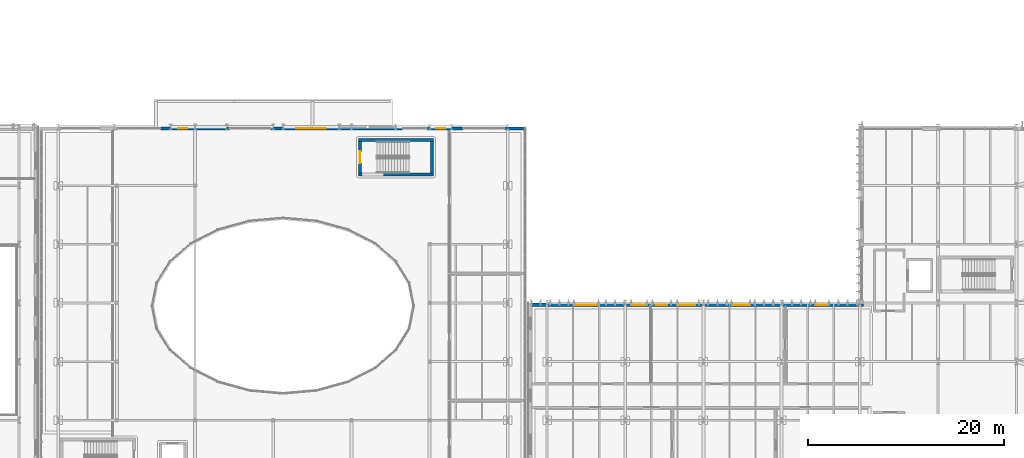
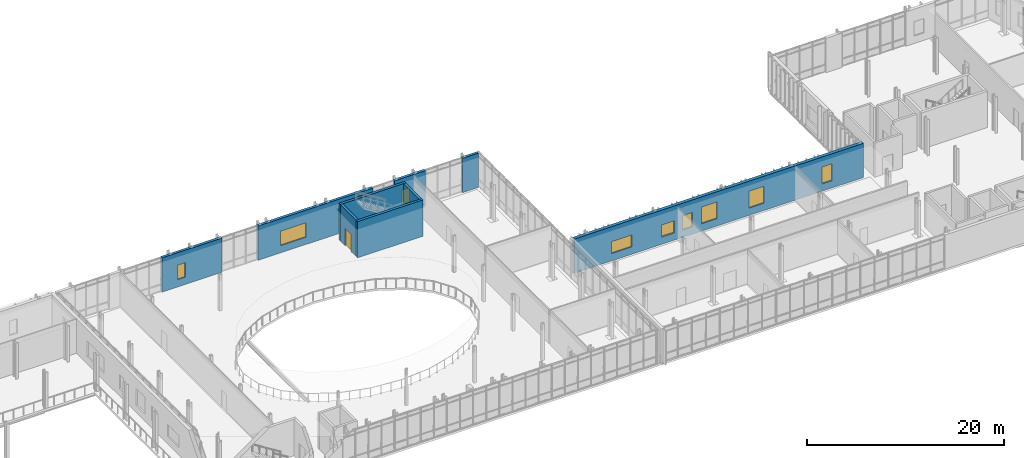
# One storey, part 69 of 100: 9 walls, 9 windows, 1 door, 10 openings.
"""IFC4 building model written with IfcOpenShell, lengths in metres."""

from ifc_helpers import new_model, si_unit, direction, frame, frame_2d, origin, place, context, subcontext, project, spatial, rectangle, extrude, material, layer, layer_set, type_object, element, fill, save


model = new_model("IFC4")

# Units and contexts
model_context = context("Model", 3, precision=1e-05, world=origin(), true_north=direction((0.0, 1.0)))
body_context = subcontext(model_context, "Body", "Model", "MODEL_VIEW")
ifc_project = project(units=[si_unit("LENGTHUNIT", "METRE"), si_unit("AREAUNIT", "SQUARE_METRE"), si_unit("VOLUMEUNIT", "CUBIC_METRE"), si_unit("PLANEANGLEUNIT", "RADIAN"), si_unit("MASSUNIT", "GRAM", prefix="KILO")], contexts=[model_context])

# Site, building, storey
site_placement = place(None, origin())
site = spatial("IfcSite", under=ifc_project, at=site_placement, CompositionType="ELEMENT")
building_placement = place(site_placement, origin())
building = spatial("IfcBuilding", under=site, at=building_placement, Name="Cymarion Research Institute", CompositionType="ELEMENT")
storey_placement = place(building_placement, frame((0.0, 0.0, 4.800048828125)))
storey = spatial("IfcBuildingStorey", under=building, at=storey_placement, Name="L01", CompositionType="ELEMENT", Elevation=4.800048828125)

# Wall, openings, windows
ifc_material_1 = material(Name="Precast concrete C40/50", Category="concrete")
ifc_layer_1 = layer(ifc_material_1, 0.3798828125)
ifc_layer_set_1 = layer_set([ifc_layer_1], Name="Precast concrete C40/50")
wall_type_1 = type_object("IfcWallType", Name="EXTERIOR WALL EW-PC380 380MM", PredefinedType="SOLIDWALL", material=ifc_layer_set_1)
wall_1_placement = place(storey_placement, frame((138.9619140625, 23.31005859375, 0.0), z_axis=(0.0, 0.0, 1.0), x_axis=(-1.0, 0.0, 0.0)))
wall_1 = element("IfcWall", 1, at=wall_1_placement, inside=storey, type_object=wall_type_1, Name="L01 V1 exterior wall EW-PC380 #93", PredefinedType="SOLIDWALL", context=body_context, shape_type="SweptSolid", body=[
    extrude(rectangle(XDim=33.89990234375, YDim=0.3798828125, at=frame_2d((16.949951171875, 0.0))), origin(), (0.0, 0.0, 1.0), 4.25),
])
opening_1_placement = place(wall_1_placement, frame((3.681884765625, 0.0, 0.89990234375)))
opening_1 = element("IfcOpeningElement", 2, at=opening_1_placement, cuts=wall_1, Name="Opening W08", PredefinedType="OPENING", context=body_context, shape_type="SweptSolid", body=[
    extrude(rectangle(XDim=1.199951171875, YDim=2.10009765625, at=frame_2d((0.60009765625, 1.050048828125))), frame((0.0, 0.199951171875, 0.0), z_axis=(0.0, -1.0, 0.0), x_axis=(1.0, 0.0, 0.0)), (0.0, 0.0, 1.0), 0.39990234375),
])
opening_2_placement = place(wall_1_placement, frame((11.64208984375, 0.0, 0.89990234375)))
opening_2 = element("IfcOpeningElement", 3, at=opening_2_placement, cuts=wall_1, Name="Opening W10", PredefinedType="OPENING", context=body_context, shape_type="SweptSolid", body=[
    extrude(rectangle(XDim=1.800048828125, YDim=2.10009765625, at=frame_2d((0.89990234375, 1.050048828125))), frame((0.0, 0.199951171875, 0.0), z_axis=(0.0, -1.0, 0.0), x_axis=(1.0, 0.0, 0.0)), (0.0, 0.0, 1.0), 0.39990234375),
])
opening_3_placement = place(wall_1_placement, frame((17.181884765625, 0.0, 0.89990234375)))
opening_3 = element("IfcOpeningElement", 4, at=opening_3_placement, cuts=wall_1, Name="Opening W10", PredefinedType="OPENING", context=body_context, shape_type="SweptSolid", body=[
    extrude(rectangle(XDim=1.800048828125, YDim=2.10009765625, at=frame_2d((0.89990234375, 1.050048828125))), frame((0.0, 0.199951171875, 0.0), z_axis=(0.0, -1.0, 0.0), x_axis=(1.0, 0.0, 0.0)), (0.0, 0.0, 1.0), 0.39990234375),
])
opening_4_placement = place(wall_1_placement, frame((20.06201171875, 0.0, 0.89990234375)))
opening_4 = element("IfcOpeningElement", 5, at=opening_4_placement, cuts=wall_1, Name="Opening W01", PredefinedType="OPENING", context=body_context, shape_type="SweptSolid", body=[
    extrude(rectangle(XDim=1.199951171875, YDim=1.800048828125, at=frame_2d((0.60009765625, 0.89990234375))), frame((0.0, 0.199951171875, 0.0), z_axis=(0.0, -1.0, 0.0), x_axis=(1.0, 0.0, 0.0)), (0.0, 0.0, 1.0), 0.39990234375),
])
opening_5_placement = place(wall_1_placement, frame((22.19189453125, 0.0, 0.89990234375)))
opening_5 = element("IfcOpeningElement", 6, at=opening_5_placement, cuts=wall_1, Name="Opening W16", PredefinedType="OPENING", context=body_context, shape_type="SweptSolid", body=[
    extrude(rectangle(XDim=1.5, YDim=1.5, at=frame_2d((0.75, 0.75))), frame((0.0, 0.199951171875, 0.0), z_axis=(0.0, -1.0, 0.0), x_axis=(1.0, 0.0, 0.0)), (0.0, 0.0, 1.0), 0.39990234375),
])
opening_6_placement = place(wall_1_placement, frame((27.162109375, 0.0, 0.89990234375)))
opening_6 = element("IfcOpeningElement", 7, at=opening_6_placement, cuts=wall_1, Name="Opening W18", PredefinedType="OPENING", context=body_context, shape_type="SweptSolid", body=[
    extrude(rectangle(XDim=2.39990234375, YDim=1.5, at=frame_2d((1.199951171875, 0.75))), frame((0.0, 0.199951171875, 0.0), z_axis=(0.0, -1.0, 0.0), x_axis=(1.0, 0.0, 0.0)), (0.0, 0.0, 1.0), 0.39990234375),
])
ifc_material_2 = material(Name="Thermally broken aluminium window with Low-E glazing", Category="aluminium")
window_type_1 = type_object("IfcWindowType", Name="THERMALLY BROKEN ALUMINIUM WINDOW W01 1200X1800", PartitioningType="SINGLE_PANEL", PredefinedType="WINDOW", material=ifc_material_2)
window_1_placement = place(opening_4_placement, origin())
window_1 = element("IfcWindow", 8, at=window_1_placement, inside=storey, type_object=window_type_1, Name="L01 V1 facade window W01 #164", OverallHeight=1.800048828125, OverallWidth=1.199951171875, PartitioningType="SINGLE_PANEL", PredefinedType="WINDOW", context=body_context, shape_type="SweptSolid", body=[
    extrude(rectangle(XDim=1.199951171875, YDim=1.800048828125, at=frame_2d((0.60009765625, 0.89990234375))), frame((0.0, 0.030029296875, 0.0), z_axis=(0.0, -1.0, 0.0), x_axis=(1.0, 0.0, 0.0)), (0.0, 0.0, 1.0), 0.06005859375),
])
fill(opening_4, window_1)
window_type_2 = type_object("IfcWindowType", Name="THERMALLY BROKEN ALUMINIUM WINDOW W08 1200X2100", PartitioningType="SINGLE_PANEL", PredefinedType="WINDOW", material=ifc_material_2)
window_2_placement = place(opening_1_placement, origin())
window_2 = element("IfcWindow", 9, at=window_2_placement, inside=storey, type_object=window_type_2, Name="L01 V1 facade window W08 #161", OverallHeight=2.10009765625, OverallWidth=1.199951171875, PartitioningType="SINGLE_PANEL", PredefinedType="WINDOW", context=body_context, shape_type="SweptSolid", body=[
    extrude(rectangle(XDim=1.199951171875, YDim=2.10009765625, at=frame_2d((0.60009765625, 1.050048828125))), frame((0.0, 0.030029296875, 0.0), z_axis=(0.0, -1.0, 0.0), x_axis=(1.0, 0.0, 0.0)), (0.0, 0.0, 1.0), 0.06005859375),
])
fill(opening_1, window_2)
window_type_3 = type_object("IfcWindowType", Name="THERMALLY BROKEN ALUMINIUM WINDOW W10 1800X2100", PartitioningType="DOUBLE_PANEL_VERTICAL", PredefinedType="WINDOW", material=ifc_material_2)
window_3_placement = place(opening_2_placement, origin())
window_3 = element("IfcWindow", 10, at=window_3_placement, inside=storey, type_object=window_type_3, Name="L01 V1 facade window W10 #162", OverallHeight=2.10009765625, OverallWidth=1.800048828125, PartitioningType="SINGLE_PANEL", PredefinedType="WINDOW", context=body_context, shape_type="SweptSolid", body=[
    extrude(rectangle(XDim=1.800048828125, YDim=2.10009765625, at=frame_2d((0.89990234375, 1.050048828125))), frame((0.0, 0.030029296875, 0.0), z_axis=(0.0, -1.0, 0.0), x_axis=(1.0, 0.0, 0.0)), (0.0, 0.0, 1.0), 0.06005859375),
])
fill(opening_2, window_3)
window_4_placement = place(opening_3_placement, origin())
window_4 = element("IfcWindow", 11, at=window_4_placement, inside=storey, type_object=window_type_3, Name="L01 V1 facade window W10 #163", OverallHeight=2.10009765625, OverallWidth=1.800048828125, PartitioningType="SINGLE_PANEL", PredefinedType="WINDOW", context=body_context, shape_type="SweptSolid", body=[
    extrude(rectangle(XDim=1.800048828125, YDim=2.10009765625, at=frame_2d((0.89990234375, 1.050048828125))), frame((0.0, 0.030029296875, 0.0), z_axis=(0.0, -1.0, 0.0), x_axis=(1.0, 0.0, 0.0)), (0.0, 0.0, 1.0), 0.06005859375),
])
fill(opening_3, window_4)
window_type_4 = type_object("IfcWindowType", Name="THERMALLY BROKEN ALUMINIUM WINDOW W16 1500X1500", PartitioningType="DOUBLE_PANEL_HORIZONTAL", PredefinedType="WINDOW", material=ifc_material_2)
window_5_placement = place(opening_5_placement, origin())
window_5 = element("IfcWindow", 12, at=window_5_placement, inside=storey, type_object=window_type_4, Name="L01 V1 facade window W16 #165", OverallHeight=1.5, OverallWidth=1.5, PartitioningType="SINGLE_PANEL", PredefinedType="WINDOW", context=body_context, shape_type="SweptSolid", body=[
    extrude(rectangle(XDim=1.5, YDim=1.5, at=frame_2d((0.75, 0.75))), frame((0.0, 0.030029296875, 0.0), z_axis=(0.0, -1.0, 0.0), x_axis=(1.0, 0.0, 0.0)), (0.0, 0.0, 1.0), 0.06005859375),
])
fill(opening_5, window_5)
window_type_5 = type_object("IfcWindowType", Name="THERMALLY BROKEN ALUMINIUM WINDOW W18 2400X1500", PartitioningType="TRIPLE_PANEL_HORIZONTAL", PredefinedType="WINDOW", material=ifc_material_2)
window_6_placement = place(opening_6_placement, origin())
window_6 = element("IfcWindow", 13, at=window_6_placement, inside=storey, type_object=window_type_5, Name="L01 V1 facade window W18 #166", OverallHeight=1.5, OverallWidth=2.39990234375, PartitioningType="SINGLE_PANEL", PredefinedType="WINDOW", context=body_context, shape_type="SweptSolid", body=[
    extrude(rectangle(XDim=2.39990234375, YDim=1.5, at=frame_2d((1.199951171875, 0.75))), frame((0.0, 0.030029296875, 0.0), z_axis=(0.0, -1.0, 0.0), x_axis=(1.0, 0.0, 0.0)), (0.0, 0.0, 1.0), 0.06005859375),
])
fill(opening_6, window_6)

# Wall
ifc_material_3 = material(Name="Concrete C40/50", Category="concrete")
ifc_layer_2 = layer(ifc_material_3, 0.320068359375)
ifc_layer_set_2 = layer_set([ifc_layer_2], Name="Concrete C40/50")
wall_type_2 = type_object("IfcWallType", Name="EXTERIOR WALL EW-RC320 320MM", PredefinedType="SHEAR", material=ifc_layer_set_2)
wall_2_placement = place(storey_placement, frame((104.197998046875, 41.340087890625, 0.0), z_axis=(0.0, 0.0, 1.0), x_axis=(-1.0, 0.0, 0.0)))
element("IfcWall", 14, at=wall_2_placement, inside=storey, type_object=wall_type_2, Name="L01 V2 facade pier wall EW-RC320 #96", PredefinedType="SHEAR", context=body_context, shape_type="SweptSolid", body=[
    extrude(rectangle(XDim=1.85791015625, YDim=0.320068359375, at=frame_2d((0.928955078125, 0.0))), origin(), (0.0, 0.0, 1.0), 4.25),
])

# Wall, opening, window
wall_3_placement = place(storey_placement, frame((98.0107421875, 41.340087890625, 0.0), z_axis=(0.0, 0.0, 1.0), x_axis=(-1.0, 0.0, 0.0)))
wall_3 = element("IfcWall", 15, at=wall_3_placement, inside=storey, type_object=wall_type_2, Name="L01 V2 facade pier wall EW-RC320 #97", PredefinedType="SHEAR", context=body_context, shape_type="SweptSolid", body=[
    extrude(rectangle(XDim=3.670654296875, YDim=0.320068359375, at=frame_2d((1.83544921875, 0.0))), origin(), (0.0, 0.0, 1.0), 4.25),
])
opening_7_placement = place(wall_3_placement, frame((1.841064453125, 0.0, 0.89990234375)))
opening_7 = element("IfcOpeningElement", 16, at=opening_7_placement, cuts=wall_3, Name="Opening W24", PredefinedType="OPENING", context=body_context, shape_type="SweptSolid", body=[
    extrude(rectangle(XDim=0.89990234375, YDim=1.800048828125, at=frame_2d((0.449951171875, 0.89990234375))), frame((0.0, 0.169921875, 0.0), z_axis=(0.0, -1.0, 0.0), x_axis=(1.0, 0.0, 0.0)), (0.0, 0.0, 1.0), 0.340087890625),
])
window_type_6 = type_object("IfcWindowType", Name="THERMALLY BROKEN ALUMINIUM WINDOW W24 900X1800", PartitioningType="SINGLE_PANEL", PredefinedType="WINDOW", material=ifc_material_2)
window_7_placement = place(opening_7_placement, origin())
window_7 = element("IfcWindow", 17, at=window_7_placement, inside=storey, type_object=window_type_6, Name="L01 V2 facade window W24 #172", OverallHeight=1.800048828125, OverallWidth=0.89990234375, PartitioningType="SINGLE_PANEL", PredefinedType="WINDOW", context=body_context, shape_type="SweptSolid", body=[
    extrude(rectangle(XDim=0.89990234375, YDim=1.800048828125, at=frame_2d((0.449951171875, 0.89990234375))), frame((0.0, 0.030029296875, 0.0), z_axis=(0.0, -1.0, 0.0), x_axis=(1.0, 0.0, 0.0)), (0.0, 0.0, 1.0), 0.06005859375),
])
fill(opening_7, window_7)

wall_4_placement = place(storey_placement, frame((91.823486328125, 41.340087890625, 0.0), z_axis=(0.0, 0.0, 1.0), x_axis=(-1.0, 0.0, 0.0)))
wall_4 = element("IfcWall", 18, at=wall_4_placement, inside=storey, type_object=wall_type_2, Name="L01 V2 facade pier wall EW-RC320 #98", PredefinedType="SHEAR", context=body_context, shape_type="SweptSolid", body=[
    extrude(rectangle(XDim=13.4833984375, YDim=0.320068359375, at=frame_2d((6.74169921875, 0.0))), origin(), (0.0, 0.0, 1.0), 4.25),
])
opening_8_placement = place(wall_4_placement, frame((7.85888671875, 0.0, 0.89990234375)))
opening_8 = element("IfcOpeningElement", 19, at=opening_8_placement, cuts=wall_4, Name="Opening W07", PredefinedType="OPENING", context=body_context, shape_type="SweptSolid", body=[
    extrude(rectangle(XDim=3.0, YDim=1.800048828125, at=frame_2d((1.5, 0.89990234375))), frame((0.0, 0.169921875, 0.0), z_axis=(0.0, -1.0, 0.0), x_axis=(1.0, 0.0, 0.0)), (0.0, 0.0, 1.0), 0.340087890625),
])
window_type_7 = type_object("IfcWindowType", Name="THERMALLY BROKEN ALUMINIUM WINDOW W07 3000X1800", PartitioningType="TRIPLE_PANEL_VERTICAL", PredefinedType="WINDOW", material=ifc_material_2)
window_8_placement = place(opening_8_placement, origin())
window_8 = element("IfcWindow", 20, at=window_8_placement, inside=storey, type_object=window_type_7, Name="L01 V2 facade window W07 #173", OverallHeight=1.800048828125, OverallWidth=3.0, PartitioningType="SINGLE_PANEL", PredefinedType="WINDOW", context=body_context, shape_type="SweptSolid", body=[
    extrude(rectangle(XDim=3.0, YDim=1.800048828125, at=frame_2d((1.5, 0.89990234375))), frame((0.0, 0.030029296875, 0.0), z_axis=(0.0, -1.0, 0.0), x_axis=(1.0, 0.0, 0.0)), (0.0, 0.0, 1.0), 0.06005859375),
])
fill(opening_8, window_8)

wall_5_placement = place(storey_placement, frame((74.110107421875, 41.340087890625, 0.0), z_axis=(0.0, 0.0, 1.0), x_axis=(-1.0, 0.0, 0.0)))
wall_5 = element("IfcWall", 21, at=wall_5_placement, inside=storey, type_object=wall_type_2, Name="L01 V2 facade pier wall EW-RC320 #99", PredefinedType="SHEAR", context=body_context, shape_type="SweptSolid", body=[
    extrude(rectangle(XDim=7.03564453125, YDim=0.320068359375, at=frame_2d((3.517822265625, 0.0))), origin(), (0.0, 0.0, 1.0), 4.25),
])
opening_9_placement = place(wall_5_placement, frame((4.31005859375, 0.0, 0.89990234375)))
opening_9 = element("IfcOpeningElement", 22, at=opening_9_placement, cuts=wall_5, Name="Opening W24", PredefinedType="OPENING", context=body_context, shape_type="SweptSolid", body=[
    extrude(rectangle(XDim=0.89990234375, YDim=1.800048828125, at=frame_2d((0.449951171875, 0.89990234375))), frame((0.0, 0.169921875, 0.0), z_axis=(0.0, -1.0, 0.0), x_axis=(1.0, 0.0, 0.0)), (0.0, 0.0, 1.0), 0.340087890625),
])
window_9_placement = place(opening_9_placement, origin())
window_9 = element("IfcWindow", 23, at=window_9_placement, inside=storey, type_object=window_type_6, Name="L01 V2 facade window W24 #174", OverallHeight=1.800048828125, OverallWidth=0.89990234375, PartitioningType="SINGLE_PANEL", PredefinedType="WINDOW", context=body_context, shape_type="SweptSolid", body=[
    extrude(rectangle(XDim=0.89990234375, YDim=1.800048828125, at=frame_2d((0.449951171875, 0.89990234375))), frame((0.0, 0.030029296875, 0.0), z_axis=(0.0, -1.0, 0.0), x_axis=(1.0, 0.0, 0.0)), (0.0, 0.0, 1.0), 0.06005859375),
])
fill(opening_9, window_9)

# Walls
ifc_layer_3 = layer(ifc_material_3, 0.300048828125)
ifc_layer_set_3 = layer_set([ifc_layer_3], Name="Concrete C40/50")
wall_type_3 = type_object("IfcWallType", Name="REINFORCED CONCRETE CORE WALL CW-SH300 300MM", PredefinedType="SHEAR", material=ifc_layer_set_3)
for number, where, z_axis, x_axis, name in (
    (24, (87.300048828125, 36.64990234375, 0.0), (0.0, 0.0, 1.0), (1.0, 0.0, 0.0), "L01 SHW-C4-L01 south core wall"),
    (25, (95.0, 40.14990234375, 0.0), (0.0, 0.0, 1.0), (-1.0, 0.0, 0.0), "L01 SHW-C4-L01 north core wall"),
):
    element("IfcWall", number, at=place(storey_placement, frame(where, z_axis=z_axis, x_axis=x_axis)), inside=storey, type_object=wall_type_3, Name=name, PredefinedType="SHEAR", context=body_context, shape_type="SweptSolid", body=[
        extrude(rectangle(XDim=7.699951171875, YDim=0.300048828125, at=frame_2d((3.85009765625, 0.0))), origin(), (0.0, 0.0, 1.0), 4.5),
    ])

# Wall, opening, door
wall_6_placement = place(storey_placement, frame((87.449951171875, 40.0, 0.0), z_axis=(0.0, 0.0, 1.0), x_axis=(0.0, -1.0, 0.0)))
wall_6 = element("IfcWall", 26, at=wall_6_placement, inside=storey, type_object=wall_type_3, Name="L01 SHW-C4-L01 west core wall", PredefinedType="SHEAR", context=body_context, shape_type="SweptSolid", body=[
    extrude(rectangle(XDim=3.199951171875, YDim=0.300048828125, at=frame_2d((1.60009765625, 0.0))), origin(), (0.0, 0.0, 1.0), 4.5),
])
opening_10_placement = place(wall_6_placement, frame((1.0, 0.0, 0.0)))
opening_10 = element("IfcOpeningElement", 27, at=opening_10_placement, cuts=wall_6, Name="Opening FD-L01-ST4", PredefinedType="OPENING", context=body_context, shape_type="SweptSolid", body=[
    extrude(rectangle(XDim=1.199951171875, YDim=2.14990234375, at=frame_2d((0.60009765625, 1.074951171875))), frame((0.0, 0.159912109375, 0.0), z_axis=(0.0, -1.0, 0.0), x_axis=(1.0, 0.0, 0.0)), (0.0, 0.0, 1.0), 0.320068359375),
])
ifc_material_4 = material(Name="Fire-rated insulated steel door assembly", Category="steel")
door_type = type_object("IfcDoorType", Name="SMOKE PROOF STAIR FIRE DOOR DT-ST120 1200X2150", OperationType="NOTDEFINED", PredefinedType="DOOR", material=ifc_material_4)
door_placement = place(opening_10_placement, origin())
door = element("IfcDoor", 28, at=door_placement, inside=storey, type_object=door_type, Name="L01 ST4 smoke-proof stair door FD-L01-ST4", OperationType="SINGLE_SWING_RIGHT", OverallHeight=2.14990234375, OverallWidth=1.199951171875, PredefinedType="DOOR", context=body_context, shape_type="SweptSolid", body=[
    extrude(rectangle(XDim=1.199951171875, YDim=2.14990234375, at=frame_2d((0.60009765625, 1.074951171875))), frame((0.0, 0.02490234375, 0.0), z_axis=(0.0, -1.0, 0.0), x_axis=(1.0, 0.0, 0.0)), (0.0, 0.0, 1.0), 0.050048828125),
])
fill(opening_10, door)

# Wall
wall_7_placement = place(storey_placement, frame((94.85009765625, 36.800048828125, 0.0), z_axis=(0.0, 0.0, 1.0), x_axis=(0.0, 1.0, 0.0)))
element("IfcWall", 29, at=wall_7_placement, inside=storey, type_object=wall_type_3, Name="L01 SHW-C4-L01 east core wall", PredefinedType="SHEAR", context=body_context, shape_type="SweptSolid", body=[
    extrude(rectangle(XDim=3.199951171875, YDim=0.300048828125, at=frame_2d((1.60009765625, 0.0))), origin(), (0.0, 0.0, 1.0), 4.5),
])

save(model, "model.ifc")
